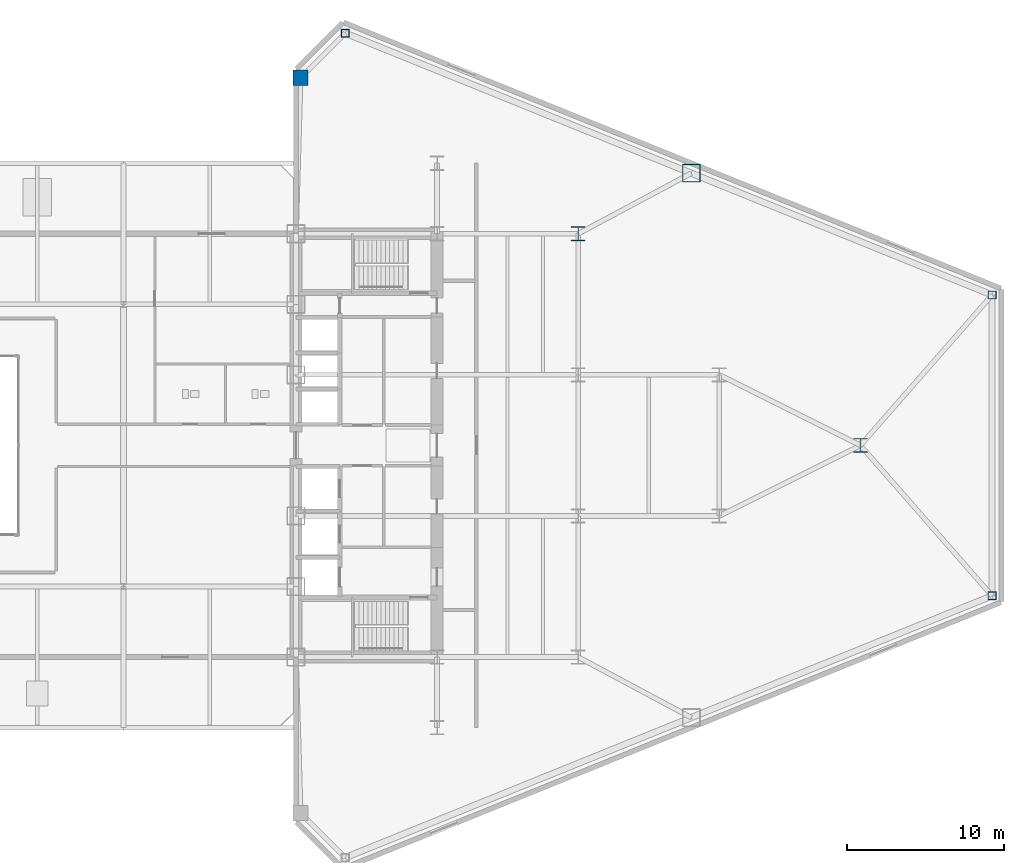
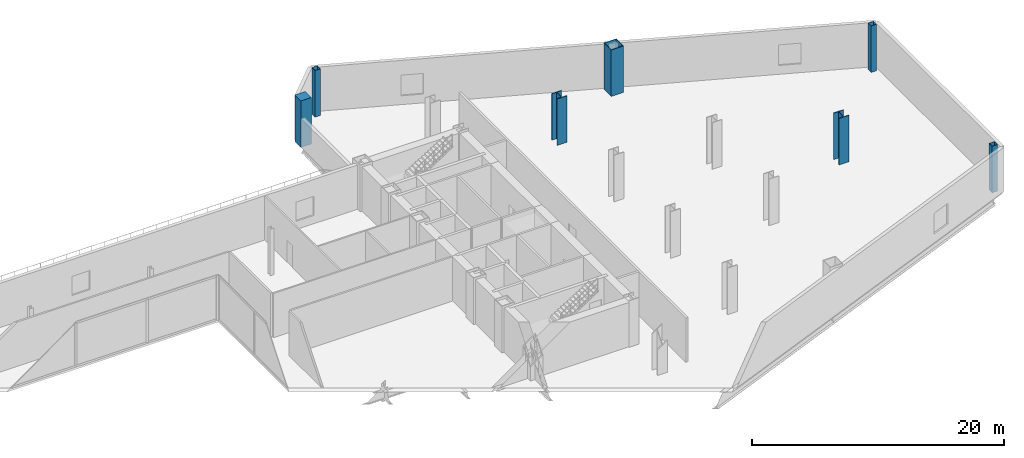
# One storey, part 8 of 23: 7 columns.
"""IFC4 building model written with IfcOpenShell, lengths in metres."""

from ifc_helpers import new_model, si_unit, direction, frame, origin, origin_2d, place, context, subcontext, project, spatial, rectangle, hollow_rectangle, i_section, extrude, source, transform, mapped, material, material_profile, profile_set, type_object, type_shapes, element, save


model = new_model("IFC4")

# Units and contexts
model_context = context("Model", 3, precision=1e-05, world=origin(), true_north=direction((0.0, 1.0)))
body_context = subcontext(model_context, "Body", "Model", "MODEL_VIEW")
ifc_project = project(units=[si_unit("LENGTHUNIT", "METRE"), si_unit("AREAUNIT", "SQUARE_METRE"), si_unit("VOLUMEUNIT", "CUBIC_METRE"), si_unit("PLANEANGLEUNIT", "RADIAN"), si_unit("MASSUNIT", "GRAM", prefix="KILO")], contexts=[model_context])

# Site, building, storey
site_placement = place(None, origin())
site = spatial("IfcSite", under=ifc_project, at=site_placement, CompositionType="ELEMENT")
building_placement = place(site_placement, origin())
building = spatial("IfcBuilding", under=site, at=building_placement, Name="Seokmaru Belvedere", CompositionType="ELEMENT")
storey_placement = place(building_placement, frame((0.0, 0.0, 14.39990234375)))
storey = spatial("IfcBuildingStorey", under=building, at=storey_placement, Name="L03", CompositionType="ELEMENT", Elevation=14.39990234375)

# Columns
ifc_material_1 = material(Name="Steel HSA650 (650 MPa)", Category="steel")
ifc_material_profile_1 = material_profile(ifc_material_1, hollow_rectangle(XDim=1.14990234375, YDim=1.14990234375, WallThickness=0.048095703125, at=origin_2d()), Name="BOX-1150x1150x48")
ifc_profile_set_1 = profile_set([ifc_material_profile_1], Name="Steel HSA650 (650 MPa)")
column_type_1 = type_object("IfcColumnType", Name="Portal Spine Column BOX-1150", PredefinedType="COLUMN", material=ifc_profile_set_1)
shared_shape_1 = source(origin(), body_context, "Body", "SweptSolid", [
    extrude(hollow_rectangle(XDim=1.14990234375, YDim=1.14990234375, WallThickness=0.048095703125, at=origin_2d()), origin(), (0.0, 0.0, 1.0), 4.5),
])
type_shapes(column_type_1, [shared_shape_1])
column_1_placement = place(storey_placement, frame((52.715576171875, 17.360595703125, 0.0), z_axis=(0.0, 0.0, 1.0), x_axis=(1.0, 0.0, 0.0)))
element("IfcColumn", 1, at=column_1_placement, inside=storey, type_object=column_type_1, Name="L03 Column EFLK_N2", PredefinedType="COLUMN", context=body_context, shape_type="MappedRepresentation", body=[
    mapped(shared_shape_1, transform((0.0, 0.0, 0.0), scale=1.0)),
])
ifc_material_profile_2 = material_profile(ifc_material_1, i_section(OverallWidth=0.89990234375, OverallDepth=0.89990234375, WebThickness=0.035888671875, FlangeThickness=0.054931640625, at=origin_2d()), Name="H-900x900x36x55")
ifc_profile_set_2 = profile_set([ifc_material_profile_2], Name="Steel HSA650 (650 MPa)")
column_type_2 = type_object("IfcColumnType", Name="Lower Interior Column H-900", PredefinedType="COLUMN", material=ifc_profile_set_2)
shared_shape_2 = source(origin(), body_context, "Body", "SweptSolid", [
    extrude(i_section(OverallWidth=0.89990234375, OverallDepth=0.89990234375, WebThickness=0.035888671875, FlangeThickness=0.054931640625, at=origin_2d()), origin(), (0.0, 0.0, 1.0), 4.5),
])
type_shapes(column_type_2, [shared_shape_2])
for number, where, z_axis, x_axis, name in (
    (2, (45.5, 13.5, 0.0), (0.0, 0.0, 1.0), (1.0, 0.0, 0.0), "L03 Column EG5_4"),
    (3, (63.5, 0.0, 0.0), (0.0, 0.0, 1.0), (1.0, 0.0, 0.0), "L03 Column EG3P_1"),
):
    element("IfcColumn", number, at=place(storey_placement, frame(where, z_axis=z_axis, x_axis=x_axis)), inside=storey, type_object=column_type_2, Name=name, PredefinedType="COLUMN", context=body_context, shape_type="MappedRepresentation", body=[
        mapped(shared_shape_2, transform((0.0, 0.0, 0.0), scale=1.0)),
    ])
ifc_material_2 = material(Name="Steel SM355 (355 MPa)", Category="steel")
ifc_material_profile_3 = material_profile(ifc_material_2, hollow_rectangle(XDim=0.5, YDim=0.5, WallThickness=0.02001953125, at=origin_2d()), Name="HSS-500x500x20")
ifc_profile_set_3 = profile_set([ifc_material_profile_3], Name="Steel SM355 (355 MPa)")
column_type_3 = type_object("IfcColumnType", Name="Perimeter Facet Column HSS-500", PredefinedType="COLUMN", material=ifc_profile_set_3)
shared_shape_3 = source(origin(), body_context, "Body", "SweptSolid", [
    extrude(hollow_rectangle(XDim=0.5, YDim=0.5, WallThickness=0.02001953125, at=origin_2d()), origin(), (0.0, 0.0, 1.0), 4.5),
])
type_shapes(column_type_3, [shared_shape_3])
for number, where, z_axis, x_axis, name in (
    (4, (71.89990234375, -9.595703125, 0.0), (0.0, 0.0, 1.0), (1.0, 0.0, 0.0), "L03 Column EF2"),
    (5, (71.89990234375, 9.595703125, 0.0), (0.0, 0.0, 1.0), (1.0, 0.0, 0.0), "L03 Column EF3"),
    (6, (30.643310546875, 26.294677734375, 0.0), (0.0, 0.0, 1.0), (1.0, 0.0, 0.0), "L03 Column EF4"),
):
    element("IfcColumn", number, at=place(storey_placement, frame(where, z_axis=z_axis, x_axis=x_axis)), inside=storey, type_object=column_type_3, Name=name, PredefinedType="COLUMN", context=body_context, shape_type="MappedRepresentation", body=[
        mapped(shared_shape_3, transform((0.0, 0.0, 0.0), scale=1.0)),
    ])
ifc_material_3 = material(Name="Concrete C50 (50 MPa)", Category="concrete")
ifc_material_profile_4 = material_profile(ifc_material_3, rectangle(XDim=0.9599609375, YDim=0.9599609375, at=origin_2d()), Name="RC-960x960")
ifc_profile_set_4 = profile_set([ifc_material_profile_4], Name="Concrete C50 (50 MPa)")
column_type_4 = type_object("IfcColumnType", Name="Upper Podium Terrace Column RC-960", PredefinedType="COLUMN", material=ifc_profile_set_4)
shared_shape_4 = source(origin(), body_context, "Body", "SweptSolid", [
    extrude(rectangle(XDim=0.9599609375, YDim=0.9599609375, at=origin_2d()), origin(), (0.0, 0.0, 1.0), 4.5),
])
type_shapes(column_type_4, [shared_shape_4])
column_2_placement = place(storey_placement, frame((27.800048828125, 23.451416015625, 0.0), z_axis=(0.0, 0.0, 1.0), x_axis=(1.0, 0.0, 0.0)))
element("IfcColumn", 7, at=column_2_placement, inside=storey, type_object=column_type_4, Name="L03 Column EPM_N", PredefinedType="COLUMN", context=body_context, shape_type="MappedRepresentation", body=[
    mapped(shared_shape_4, transform((0.0, 0.0, 0.0), scale=1.0)),
])

save(model, "model.ifc")
